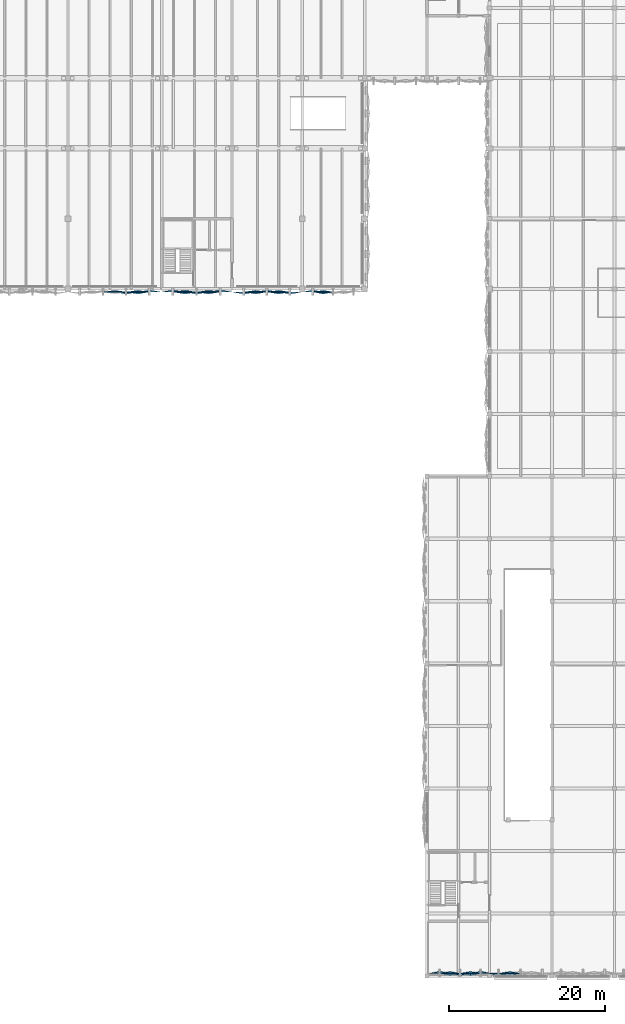
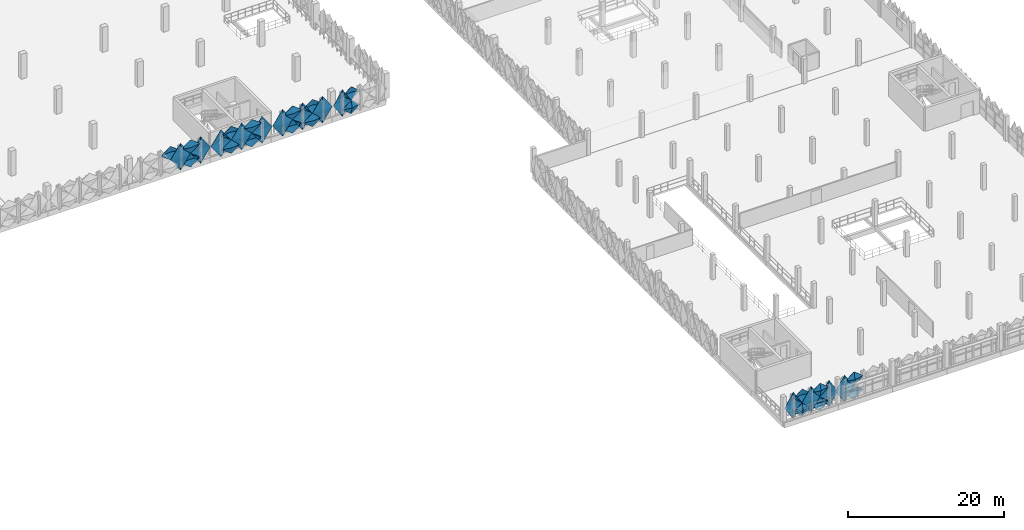
# One storey, part 57 of 83: 32 plates.
"""IFC4 building model written with IfcOpenShell, lengths in metres."""

from ifc_helpers import new_model, si_unit, derived_unit, direction, frame, origin, place, context, subcontext, project, spatial, polygons, material, layer, layer_set, type_object, element, save


model = new_model("IFC4")

# Units and contexts
model_context = context("Model", 3, precision=1e-05, world=origin(), true_north=direction((0.0, 1.0)))
body_context = subcontext(model_context, "Body", "Model", "MODEL_VIEW")
ifc_project = project(units=[si_unit("LENGTHUNIT", "METRE"), si_unit("AREAUNIT", "SQUARE_METRE"), si_unit("VOLUMEUNIT", "CUBIC_METRE"), si_unit("PLANEANGLEUNIT", "RADIAN"), si_unit("MASSUNIT", "GRAM", prefix="KILO"), si_unit("THERMODYNAMICTEMPERATUREUNIT", "KELVIN"), derived_unit("THERMALTRANSMITTANCEUNIT", [(si_unit("POWERUNIT", "WATT"), 1), (si_unit("AREAUNIT", "SQUARE_METRE"), -1), (si_unit("THERMODYNAMICTEMPERATUREUNIT", "KELVIN"), -1)])], contexts=[model_context])

# Site, building, storey
site_placement = place(None, origin())
site = spatial("IfcSite", under=ifc_project, at=site_placement, CompositionType="ELEMENT")
building_placement = place(site_placement, origin())
building = spatial("IfcBuilding", under=site, at=building_placement, Name="Haiyu Intermodal Mobility Hub", CompositionType="ELEMENT")
storey_placement = place(building_placement, frame((0.0, 0.0, 13.39990234375)))
storey = spatial("IfcBuildingStorey", under=building, at=storey_placement, Name="L03", CompositionType="ELEMENT", Elevation=13.39990234375)

# Plates
ifc_material = material(Name="Anodised aluminium 6063-T6", Category="aluminium")
ifc_layer_1 = layer(ifc_material, 0.01806640625)
ifc_layer_set_1 = layer_set([ifc_layer_1], Name="Anodised aluminium 6063-T6")
plate_type_1 = type_object("IfcPlateType", Name="PLT-FC01", PredefinedType="USERDEFINED", material=ifc_layer_set_1)
plate_1_placement = place(storey_placement, origin())
element("IfcPlate", 1, at=plate_1_placement, inside=storey, type_object=plate_type_1, Name="PLT-PYR-0923", ObjectType="FACADE CASSETTE", PredefinedType="USERDEFINED", context=body_context, shape_type="Tessellation", body=[
    polygons([(116.9599609375, 103.60009765625, 1.6201171875), (118.419921875, 103.60009765625, 2.670166015625), (116.9599609375, 103.60009765625, 3.72021484375), (115.5, 103.60009765625, 2.670166015625), (116.9599609375, 103.340087890625, 2.670166015625), (116.9599609375, 103.6220703125, 1.6201171875), (118.419921875, 103.6220703125, 2.670166015625), (116.9599609375, 103.6220703125, 3.72021484375), (115.5, 103.6220703125, 2.670166015625), (116.9599609375, 103.362060546875, 2.670166015625)], [[[1, 2, 5]], [[2, 3, 5]], [[3, 4, 5]], [[4, 1, 5]], [[7, 6, 10]], [[8, 7, 10]], [[9, 8, 10]], [[6, 9, 10]], [[1, 6, 7, 2]], [[2, 7, 8, 3]], [[3, 8, 9, 4]], [[4, 9, 6, 1]]], closed=True),
])
plate_2_placement = place(storey_placement, origin())
element("IfcPlate", 2, at=plate_2_placement, inside=storey, type_object=plate_type_1, Name="PLT-PYR-0961", ObjectType="FACADE CASSETTE", PredefinedType="USERDEFINED", context=body_context, shape_type="Tessellation", body=[
    polygons([(132.027099609375, 103.60009765625, 1.6201171875), (133.47998046875, 103.60009765625, 2.670166015625), (132.027099609375, 103.60009765625, 3.72021484375), (130.572998046875, 103.60009765625, 2.670166015625), (132.027099609375, 103.340087890625, 2.670166015625), (132.027099609375, 103.6220703125, 1.6201171875), (133.47998046875, 103.6220703125, 2.670166015625), (132.027099609375, 103.6220703125, 3.72021484375), (130.572998046875, 103.6220703125, 2.670166015625), (132.027099609375, 103.362060546875, 2.670166015625)], [[[1, 2, 5]], [[2, 3, 5]], [[3, 4, 5]], [[4, 1, 5]], [[7, 6, 10]], [[8, 7, 10]], [[9, 8, 10]], [[6, 9, 10]], [[1, 6, 7, 2]], [[2, 7, 8, 3]], [[3, 8, 9, 4]], [[4, 9, 6, 1]]], closed=True),
])
plate_3_placement = place(storey_placement, origin())
element("IfcPlate", 3, at=plate_3_placement, inside=storey, type_object=plate_type_1, Name="PLT-PYR-1740", ObjectType="FACADE CASSETTE", PredefinedType="USERDEFINED", context=body_context, shape_type="Tessellation", body=[
    polygons([(158.25, 16.320068359375, -0.510009765625), (159.547119140625, 16.320068359375, 1.60009765625), (158.25, 16.320068359375, 3.710205078125), (156.952880859375, 16.320068359375, 1.60009765625), (158.25, 16.0400390625, 1.60009765625), (158.25, 16.342041015625, -0.510009765625), (159.547119140625, 16.342041015625, 1.60009765625), (158.25, 16.342041015625, 3.710205078125), (156.952880859375, 16.342041015625, 1.60009765625), (158.25, 16.06201171875, 1.60009765625)], [[[1, 2, 5]], [[2, 3, 5]], [[3, 4, 5]], [[4, 1, 5]], [[7, 6, 10]], [[8, 7, 10]], [[9, 8, 10]], [[6, 9, 10]], [[1, 6, 7, 2]], [[2, 7, 8, 3]], [[3, 8, 9, 4]], [[4, 9, 6, 1]]], closed=True),
])
plate_4_placement = place(storey_placement, origin())
element("IfcPlate", 4, at=plate_4_placement, inside=storey, type_object=plate_type_1, Name="PLT-PYR-1742", ObjectType="FACADE CASSETTE", PredefinedType="USERDEFINED", context=body_context, shape_type="Tessellation", body=[
    polygons([(159.56689453125, 16.320068359375, 1.6201171875), (160.863037109375, 16.320068359375, 2.670166015625), (159.56689453125, 16.320068359375, 3.72021484375), (158.27001953125, 16.320068359375, 2.670166015625), (159.56689453125, 16.06005859375, 2.670166015625), (159.56689453125, 16.342041015625, 1.6201171875), (160.863037109375, 16.342041015625, 2.670166015625), (159.56689453125, 16.342041015625, 3.72021484375), (158.27001953125, 16.342041015625, 2.670166015625), (159.56689453125, 16.08203125, 2.670166015625)], [[[1, 2, 5]], [[2, 3, 5]], [[3, 4, 5]], [[4, 1, 5]], [[7, 6, 10]], [[8, 7, 10]], [[9, 8, 10]], [[6, 9, 10]], [[1, 6, 7, 2]], [[2, 7, 8, 3]], [[3, 8, 9, 4]], [[4, 9, 6, 1]]], closed=True),
])
plate_5_placement = place(storey_placement, origin())
element("IfcPlate", 5, at=plate_5_placement, inside=storey, type_object=plate_type_1, Name="PLT-PYR-1746", ObjectType="FACADE CASSETTE", PredefinedType="USERDEFINED", context=body_context, shape_type="Tessellation", body=[
    polygons([(164.60009765625, 16.320068359375, 1.6201171875), (165.97998046875, 16.320068359375, 2.670166015625), (164.60009765625, 16.320068359375, 3.72021484375), (163.219970703125, 16.320068359375, 2.670166015625), (164.60009765625, 16.06005859375, 2.670166015625), (164.60009765625, 16.342041015625, 1.6201171875), (165.97998046875, 16.342041015625, 2.670166015625), (164.60009765625, 16.342041015625, 3.72021484375), (163.219970703125, 16.342041015625, 2.670166015625), (164.60009765625, 16.08203125, 2.670166015625)], [[[1, 2, 5]], [[2, 3, 5]], [[3, 4, 5]], [[4, 1, 5]], [[7, 6, 10]], [[8, 7, 10]], [[9, 8, 10]], [[6, 9, 10]], [[1, 6, 7, 2]], [[2, 7, 8, 3]], [[3, 8, 9, 4]], [[4, 9, 6, 1]]], closed=True),
])
plate_6_placement = place(storey_placement, origin())
element("IfcPlate", 6, at=plate_6_placement, inside=storey, type_object=plate_type_1, Name="PLT-PYR-2228", ObjectType="FACADE CASSETTE", PredefinedType="USERDEFINED", context=body_context, shape_type="Tessellation", body=[
    polygons([(124.5, 103.60009765625, -0.510009765625), (125.9970703125, 103.60009765625, 1.60009765625), (124.5, 103.60009765625, 3.710205078125), (123.0029296875, 103.60009765625, 1.60009765625), (124.5, 103.320068359375, 1.60009765625), (124.5, 103.6220703125, -0.510009765625), (125.9970703125, 103.6220703125, 1.60009765625), (124.5, 103.6220703125, 3.710205078125), (123.0029296875, 103.6220703125, 1.60009765625), (124.5, 103.342041015625, 1.60009765625)], [[[1, 2, 5]], [[2, 3, 5]], [[3, 4, 5]], [[4, 1, 5]], [[7, 6, 10]], [[8, 7, 10]], [[9, 8, 10]], [[6, 9, 10]], [[1, 6, 7, 2]], [[2, 7, 8, 3]], [[3, 8, 9, 4]], [[4, 9, 6, 1]]], closed=True),
])
plate_7_placement = place(storey_placement, origin())
element("IfcPlate", 7, at=plate_7_placement, inside=storey, type_object=plate_type_1, Name="PLT-PYR-2230", ObjectType="FACADE CASSETTE", PredefinedType="USERDEFINED", context=body_context, shape_type="Tessellation", body=[
    polygons([(126.01708984375, 103.60009765625, 1.6201171875), (127.512939453125, 103.60009765625, 2.670166015625), (126.01708984375, 103.60009765625, 3.72021484375), (124.52001953125, 103.60009765625, 2.670166015625), (126.01708984375, 103.340087890625, 2.670166015625), (126.01708984375, 103.6220703125, 1.6201171875), (127.512939453125, 103.6220703125, 2.670166015625), (126.01708984375, 103.6220703125, 3.72021484375), (124.52001953125, 103.6220703125, 2.670166015625), (126.01708984375, 103.362060546875, 2.670166015625)], [[[1, 2, 5]], [[2, 3, 5]], [[3, 4, 5]], [[4, 1, 5]], [[7, 6, 10]], [[8, 7, 10]], [[9, 8, 10]], [[6, 9, 10]], [[1, 6, 7, 2]], [[2, 7, 8, 3]], [[3, 8, 9, 4]], [[4, 9, 6, 1]]], closed=True),
])
ifc_layer_2 = layer(ifc_material, 0.02001953125)
ifc_layer_set_2 = layer_set([ifc_layer_2], Name="Anodised aluminium 6063-T6")
plate_type_2 = type_object("IfcPlateType", Name="PLT-FC02", PredefinedType="USERDEFINED", material=ifc_layer_set_2)
plate_8_placement = place(storey_placement, origin())
element("IfcPlate", 8, at=plate_8_placement, inside=storey, type_object=plate_type_2, Name="PLT-PYR-0920", ObjectType="FACADE CASSETTE", PredefinedType="USERDEFINED", context=body_context, shape_type="Tessellation", body=[
    polygons([(114.0, 103.60009765625, 1.6201171875), (115.4599609375, 103.60009765625, 2.670166015625), (114.0, 103.60009765625, 3.72021484375), (112.5400390625, 103.60009765625, 2.670166015625), (114.0, 103.820068359375, 2.670166015625), (114.0, 103.6220703125, 1.6201171875), (115.4599609375, 103.6220703125, 2.670166015625), (114.0, 103.6220703125, 3.72021484375), (112.5400390625, 103.6220703125, 2.670166015625), (114.0, 103.842041015625, 2.670166015625)], [[[1, 2, 5]], [[2, 3, 5]], [[3, 4, 5]], [[4, 1, 5]], [[7, 6, 10]], [[8, 7, 10]], [[9, 8, 10]], [[6, 9, 10]], [[1, 6, 7, 2]], [[2, 7, 8, 3]], [[3, 8, 9, 4]], [[4, 9, 6, 1]]], closed=True),
])
plate_9_placement = place(storey_placement, origin())
element("IfcPlate", 9, at=plate_9_placement, inside=storey, type_object=plate_type_2, Name="PLT-PYR-0962", ObjectType="FACADE CASSETTE", PredefinedType="USERDEFINED", context=body_context, shape_type="Tessellation", body=[
    polygons([(133.5, 103.60009765625, -0.510009765625), (134.952880859375, 103.60009765625, 1.60009765625), (133.5, 103.60009765625, 3.710205078125), (132.047119140625, 103.60009765625, 1.60009765625), (133.5, 103.860107421875, 1.60009765625), (133.5, 103.6220703125, -0.510009765625), (134.952880859375, 103.6220703125, 1.60009765625), (133.5, 103.6220703125, 3.710205078125), (132.047119140625, 103.6220703125, 1.60009765625), (133.5, 103.882080078125, 1.60009765625)], [[[1, 2, 5]], [[2, 3, 5]], [[3, 4, 5]], [[4, 1, 5]], [[7, 6, 10]], [[8, 7, 10]], [[9, 8, 10]], [[6, 9, 10]], [[1, 6, 7, 2]], [[2, 7, 8, 3]], [[3, 8, 9, 4]], [[4, 9, 6, 1]]], closed=True),
])
plate_10_placement = place(storey_placement, origin())
element("IfcPlate", 10, at=plate_10_placement, inside=storey, type_object=plate_type_2, Name="PLT-PYR-0964", ObjectType="FACADE CASSETTE", PredefinedType="USERDEFINED", context=body_context, shape_type="Tessellation", body=[
    polygons([(134.972900390625, 103.60009765625, 1.6201171875), (136.427001953125, 103.60009765625, 2.670166015625), (134.972900390625, 103.60009765625, 3.72021484375), (133.52001953125, 103.60009765625, 2.670166015625), (134.972900390625, 103.820068359375, 2.670166015625), (134.972900390625, 103.6220703125, 1.6201171875), (136.427001953125, 103.6220703125, 2.670166015625), (134.972900390625, 103.6220703125, 3.72021484375), (133.52001953125, 103.6220703125, 2.670166015625), (134.972900390625, 103.842041015625, 2.670166015625)], [[[1, 2, 5]], [[2, 3, 5]], [[3, 4, 5]], [[4, 1, 5]], [[7, 6, 10]], [[8, 7, 10]], [[9, 8, 10]], [[6, 9, 10]], [[1, 6, 7, 2]], [[2, 7, 8, 3]], [[3, 8, 9, 4]], [[4, 9, 6, 1]]], closed=True),
])
plate_11_placement = place(storey_placement, origin())
element("IfcPlate", 11, at=plate_11_placement, inside=storey, type_object=plate_type_2, Name="PLT-PYR-0996", ObjectType="FACADE CASSETTE", PredefinedType="USERDEFINED", context=body_context, shape_type="Tessellation", body=[
    polygons([(140.693115234375, 103.60009765625, 1.6201171875), (141.97998046875, 103.60009765625, 2.670166015625), (140.693115234375, 103.60009765625, 3.72021484375), (139.406982421875, 103.60009765625, 2.670166015625), (140.693115234375, 103.820068359375, 2.670166015625), (140.693115234375, 103.6220703125, 1.6201171875), (141.97998046875, 103.6220703125, 2.670166015625), (140.693115234375, 103.6220703125, 3.72021484375), (139.406982421875, 103.6220703125, 2.670166015625), (140.693115234375, 103.842041015625, 2.670166015625)], [[[1, 2, 5]], [[2, 3, 5]], [[3, 4, 5]], [[4, 1, 5]], [[7, 6, 10]], [[8, 7, 10]], [[9, 8, 10]], [[6, 9, 10]], [[1, 6, 7, 2]], [[2, 7, 8, 3]], [[3, 8, 9, 4]], [[4, 9, 6, 1]]], closed=True),
])
plate_12_placement = place(storey_placement, origin())
element("IfcPlate", 12, at=plate_12_placement, inside=storey, type_object=plate_type_2, Name="PLT-PYR-1739", ObjectType="FACADE CASSETTE", PredefinedType="USERDEFINED", context=body_context, shape_type="Tessellation", body=[
    polygons([(156.93310546875, 16.320068359375, 1.6201171875), (158.22998046875, 16.320068359375, 2.670166015625), (156.93310546875, 16.320068359375, 3.72021484375), (155.636962890625, 16.320068359375, 2.670166015625), (156.93310546875, 16.5400390625, 2.670166015625), (156.93310546875, 16.342041015625, 1.6201171875), (158.22998046875, 16.342041015625, 2.670166015625), (156.93310546875, 16.342041015625, 3.72021484375), (155.636962890625, 16.342041015625, 2.670166015625), (156.93310546875, 16.56201171875, 2.670166015625)], [[[1, 2, 5]], [[2, 3, 5]], [[3, 4, 5]], [[4, 1, 5]], [[7, 6, 10]], [[8, 7, 10]], [[9, 8, 10]], [[6, 9, 10]], [[1, 6, 7, 2]], [[2, 7, 8, 3]], [[3, 8, 9, 4]], [[4, 9, 6, 1]]], closed=True),
])
plate_13_placement = place(storey_placement, origin())
element("IfcPlate", 13, at=plate_13_placement, inside=storey, type_object=plate_type_2, Name="PLT-PYR-2227", ObjectType="FACADE CASSETTE", PredefinedType="USERDEFINED", context=body_context, shape_type="Tessellation", body=[
    polygons([(122.98291015625, 103.60009765625, 1.6201171875), (124.47998046875, 103.60009765625, 2.670166015625), (122.98291015625, 103.60009765625, 3.72021484375), (121.487060546875, 103.60009765625, 2.670166015625), (122.98291015625, 103.820068359375, 2.670166015625), (122.98291015625, 103.6220703125, 1.6201171875), (124.47998046875, 103.6220703125, 2.670166015625), (122.98291015625, 103.6220703125, 3.72021484375), (121.487060546875, 103.6220703125, 2.670166015625), (122.98291015625, 103.842041015625, 2.670166015625)], [[[1, 2, 5]], [[2, 3, 5]], [[3, 4, 5]], [[4, 1, 5]], [[7, 6, 10]], [[8, 7, 10]], [[9, 8, 10]], [[6, 9, 10]], [[1, 6, 7, 2]], [[2, 7, 8, 3]], [[3, 8, 9, 4]], [[4, 9, 6, 1]]], closed=True),
])
ifc_layer_3 = layer(ifc_material, 0.01806640625)
ifc_layer_set_3 = layer_set([ifc_layer_3], Name="Anodised aluminium 6063-T6")
plate_type_3 = type_object("IfcPlateType", Name="PLT-FC03", PredefinedType="USERDEFINED", material=ifc_layer_set_3)
plate_14_placement = place(storey_placement, origin())
element("IfcPlate", 14, at=plate_14_placement, inside=storey, type_object=plate_type_3, Name="PLT-PYR-0921", ObjectType="FACADE CASSETTE", PredefinedType="USERDEFINED", context=body_context, shape_type="Tessellation", body=[
    polygons([(115.47998046875, 103.60009765625, -0.510009765625), (116.93994140625, 103.60009765625, 1.60009765625), (115.47998046875, 103.60009765625, 3.710205078125), (114.02001953125, 103.60009765625, 1.60009765625), (115.47998046875, 103.320068359375, 1.60009765625), (115.47998046875, 103.6220703125, -0.510009765625), (116.93994140625, 103.6220703125, 1.60009765625), (115.47998046875, 103.6220703125, 3.710205078125), (114.02001953125, 103.6220703125, 1.60009765625), (115.47998046875, 103.342041015625, 1.60009765625)], [[[1, 2, 5]], [[2, 3, 5]], [[3, 4, 5]], [[4, 1, 5]], [[7, 6, 10]], [[8, 7, 10]], [[9, 8, 10]], [[6, 9, 10]], [[1, 6, 7, 2]], [[2, 7, 8, 3]], [[3, 8, 9, 4]], [[4, 9, 6, 1]]], closed=True),
])
plate_15_placement = place(storey_placement, origin())
element("IfcPlate", 15, at=plate_15_placement, inside=storey, type_object=plate_type_3, Name="PLT-PYR-0965", ObjectType="FACADE CASSETTE", PredefinedType="USERDEFINED", context=body_context, shape_type="Tessellation", body=[
    polygons([(136.447021484375, 103.60009765625, -0.510009765625), (137.89990234375, 103.60009765625, 1.60009765625), (136.447021484375, 103.60009765625, 3.710205078125), (134.992919921875, 103.60009765625, 1.60009765625), (136.447021484375, 103.320068359375, 1.60009765625), (136.447021484375, 103.6220703125, -0.510009765625), (137.89990234375, 103.6220703125, 1.60009765625), (136.447021484375, 103.6220703125, 3.710205078125), (134.992919921875, 103.6220703125, 1.60009765625), (136.447021484375, 103.342041015625, 1.60009765625)], [[[1, 2, 5]], [[2, 3, 5]], [[3, 4, 5]], [[4, 1, 5]], [[7, 6, 10]], [[8, 7, 10]], [[9, 8, 10]], [[6, 9, 10]], [[1, 6, 7, 2]], [[2, 7, 8, 3]], [[3, 8, 9, 4]], [[4, 9, 6, 1]]], closed=True),
])
ifc_layer_4 = layer(ifc_material, 0.02001953125)
ifc_layer_set_4 = layer_set([ifc_layer_4], Name="Anodised aluminium 6063-T6")
plate_type_4 = type_object("IfcPlateType", Name="PLT-FC04", PredefinedType="USERDEFINED", material=ifc_layer_set_4)
plate_16_placement = place(storey_placement, origin())
element("IfcPlate", 16, at=plate_16_placement, inside=storey, type_object=plate_type_4, Name="PLT-PYR-1743", ObjectType="FACADE CASSETTE", PredefinedType="USERDEFINED", context=body_context, shape_type="Tessellation", body=[
    polygons([(160.883056640625, 16.320068359375, -0.510009765625), (162.179931640625, 16.320068359375, 1.60009765625), (160.883056640625, 16.320068359375, 3.710205078125), (159.5869140625, 16.320068359375, 1.60009765625), (160.883056640625, 16.580078125, 1.60009765625), (160.883056640625, 16.342041015625, -0.510009765625), (162.179931640625, 16.342041015625, 1.60009765625), (160.883056640625, 16.342041015625, 3.710205078125), (159.5869140625, 16.342041015625, 1.60009765625), (160.883056640625, 16.60205078125, 1.60009765625)], [[[1, 2, 5]], [[2, 3, 5]], [[3, 4, 5]], [[4, 1, 5]], [[7, 6, 10]], [[8, 7, 10]], [[9, 8, 10]], [[6, 9, 10]], [[1, 6, 7, 2]], [[2, 7, 8, 3]], [[3, 8, 9, 4]], [[4, 9, 6, 1]]], closed=True),
])
plate_17_placement = place(storey_placement, origin())
element("IfcPlate", 17, at=plate_17_placement, inside=storey, type_object=plate_type_4, Name="PLT-PYR-2231", ObjectType="FACADE CASSETTE", PredefinedType="USERDEFINED", context=body_context, shape_type="Tessellation", body=[
    polygons([(127.532958984375, 103.60009765625, -0.510009765625), (129.030029296875, 103.60009765625, 1.60009765625), (127.532958984375, 103.60009765625, 3.710205078125), (126.037109375, 103.60009765625, 1.60009765625), (127.532958984375, 103.860107421875, 1.60009765625), (127.532958984375, 103.6220703125, -0.510009765625), (129.030029296875, 103.6220703125, 1.60009765625), (127.532958984375, 103.6220703125, 3.710205078125), (126.037109375, 103.6220703125, 1.60009765625), (127.532958984375, 103.882080078125, 1.60009765625)], [[[1, 2, 5]], [[2, 3, 5]], [[3, 4, 5]], [[4, 1, 5]], [[7, 6, 10]], [[8, 7, 10]], [[9, 8, 10]], [[6, 9, 10]], [[1, 6, 7, 2]], [[2, 7, 8, 3]], [[3, 8, 9, 4]], [[4, 9, 6, 1]]], closed=True),
])
ifc_layer_5 = layer(ifc_material, 0.02001953125)
ifc_layer_set_5 = layer_set([ifc_layer_5], Name="Anodised aluminium 6063-T6")
plate_type_5 = type_object("IfcPlateType", Name="PLT-FC06", PredefinedType="USERDEFINED", material=ifc_layer_set_5)
plate_18_placement = place(storey_placement, origin())
element("IfcPlate", 18, at=plate_18_placement, inside=storey, type_object=plate_type_5, Name="PLT-PYR-0924", ObjectType="FACADE CASSETTE", PredefinedType="USERDEFINED", context=body_context, shape_type="Tessellation", body=[
    polygons([(118.43994140625, 103.60009765625, -0.510009765625), (119.89990234375, 103.60009765625, 1.60009765625), (118.43994140625, 103.60009765625, 3.710205078125), (116.97998046875, 103.60009765625, 1.60009765625), (118.43994140625, 103.860107421875, 1.60009765625), (118.43994140625, 103.6220703125, -0.510009765625), (119.89990234375, 103.6220703125, 1.60009765625), (118.43994140625, 103.6220703125, 3.710205078125), (116.97998046875, 103.6220703125, 1.60009765625), (118.43994140625, 103.882080078125, 1.60009765625)], [[[1, 2, 5]], [[2, 3, 5]], [[3, 4, 5]], [[4, 1, 5]], [[7, 6, 10]], [[8, 7, 10]], [[9, 8, 10]], [[6, 9, 10]], [[1, 6, 7, 2]], [[2, 7, 8, 3]], [[3, 8, 9, 4]], [[4, 9, 6, 1]]], closed=True),
])
ifc_layer_6 = layer(ifc_material, 0.02197265625)
ifc_layer_set_6 = layer_set([ifc_layer_6], Name="Anodised aluminium 6063-T6")
plate_type_6 = type_object("IfcPlateType", Name="PLT-FC07", PredefinedType="USERDEFINED", material=ifc_layer_set_6)
plate_19_placement = place(storey_placement, origin())
element("IfcPlate", 19, at=plate_19_placement, inside=storey, type_object=plate_type_6, Name="PLT-PYR-0959", ObjectType="FACADE CASSETTE", PredefinedType="USERDEFINED", context=body_context, shape_type="Tessellation", body=[
    polygons([(130.552978515625, 103.60009765625, -0.510009765625), (132.007080078125, 103.60009765625, 1.60009765625), (130.552978515625, 103.60009765625, 3.710205078125), (129.10009765625, 103.60009765625, 1.60009765625), (130.552978515625, 103.320068359375, 1.60009765625), (130.552978515625, 103.6220703125, -0.510009765625), (132.007080078125, 103.6220703125, 1.60009765625), (130.552978515625, 103.6220703125, 3.710205078125), (129.10009765625, 103.6220703125, 1.60009765625), (130.552978515625, 103.342041015625, 1.60009765625)], [[[1, 2, 5]], [[2, 3, 5]], [[3, 4, 5]], [[4, 1, 5]], [[7, 6, 10]], [[8, 7, 10]], [[9, 8, 10]], [[6, 9, 10]], [[1, 6, 7, 2]], [[2, 7, 8, 3]], [[3, 8, 9, 4]], [[4, 9, 6, 1]]], closed=True),
])
plate_20_placement = place(storey_placement, origin())
element("IfcPlate", 20, at=plate_20_placement, inside=storey, type_object=plate_type_6, Name="PLT-PYR-0963", ObjectType="FACADE CASSETTE", PredefinedType="USERDEFINED", context=body_context, shape_type="Tessellation", body=[
    polygons([(134.972900390625, 103.60009765625, -0.52001953125), (136.427001953125, 103.60009765625, 0.530029296875), (134.972900390625, 103.60009765625, 1.580078125), (133.52001953125, 103.60009765625, 0.530029296875), (134.972900390625, 103.340087890625, 0.530029296875), (134.972900390625, 103.6220703125, -0.52001953125), (136.427001953125, 103.6220703125, 0.530029296875), (134.972900390625, 103.6220703125, 1.580078125), (133.52001953125, 103.6220703125, 0.530029296875), (134.972900390625, 103.362060546875, 0.530029296875)], [[[1, 2, 5]], [[2, 3, 5]], [[3, 4, 5]], [[4, 1, 5]], [[7, 6, 10]], [[8, 7, 10]], [[9, 8, 10]], [[6, 9, 10]], [[1, 6, 7, 2]], [[2, 7, 8, 3]], [[3, 8, 9, 4]], [[4, 9, 6, 1]]], closed=True),
])
plate_21_placement = place(storey_placement, origin())
element("IfcPlate", 21, at=plate_21_placement, inside=storey, type_object=plate_type_6, Name="PLT-PYR-0995", ObjectType="FACADE CASSETTE", PredefinedType="USERDEFINED", context=body_context, shape_type="Tessellation", body=[
    polygons([(140.693115234375, 103.60009765625, -0.52001953125), (141.97998046875, 103.60009765625, 0.530029296875), (140.693115234375, 103.60009765625, 1.580078125), (139.406982421875, 103.60009765625, 0.530029296875), (140.693115234375, 103.340087890625, 0.530029296875), (140.693115234375, 103.6220703125, -0.52001953125), (141.97998046875, 103.6220703125, 0.530029296875), (140.693115234375, 103.6220703125, 1.580078125), (139.406982421875, 103.6220703125, 0.530029296875), (140.693115234375, 103.362060546875, 0.530029296875)], [[[1, 2, 5]], [[2, 3, 5]], [[3, 4, 5]], [[4, 1, 5]], [[7, 6, 10]], [[8, 7, 10]], [[9, 8, 10]], [[6, 9, 10]], [[1, 6, 7, 2]], [[2, 7, 8, 3]], [[3, 8, 9, 4]], [[4, 9, 6, 1]]], closed=True),
])
plate_22_placement = place(storey_placement, origin())
element("IfcPlate", 22, at=plate_22_placement, inside=storey, type_object=plate_type_6, Name="PLT-PYR-1738", ObjectType="FACADE CASSETTE", PredefinedType="USERDEFINED", context=body_context, shape_type="Tessellation", body=[
    polygons([(156.93310546875, 16.320068359375, -0.52001953125), (158.22998046875, 16.320068359375, 0.530029296875), (156.93310546875, 16.320068359375, 1.580078125), (155.636962890625, 16.320068359375, 0.530029296875), (156.93310546875, 16.06005859375, 0.530029296875), (156.93310546875, 16.342041015625, -0.52001953125), (158.22998046875, 16.342041015625, 0.530029296875), (156.93310546875, 16.342041015625, 1.580078125), (155.636962890625, 16.342041015625, 0.530029296875), (156.93310546875, 16.08203125, 0.530029296875)], [[[1, 2, 5]], [[2, 3, 5]], [[3, 4, 5]], [[4, 1, 5]], [[7, 6, 10]], [[8, 7, 10]], [[9, 8, 10]], [[6, 9, 10]], [[1, 6, 7, 2]], [[2, 7, 8, 3]], [[3, 8, 9, 4]], [[4, 9, 6, 1]]], closed=True),
])
plate_23_placement = place(storey_placement, origin())
element("IfcPlate", 23, at=plate_23_placement, inside=storey, type_object=plate_type_6, Name="PLT-PYR-1744", ObjectType="FACADE CASSETTE", PredefinedType="USERDEFINED", context=body_context, shape_type="Tessellation", body=[
    polygons([(163.199951171875, 16.320068359375, -0.510009765625), (164.580078125, 16.320068359375, 1.60009765625), (163.199951171875, 16.320068359375, 3.710205078125), (161.820068359375, 16.320068359375, 1.60009765625), (163.199951171875, 16.0400390625, 1.60009765625), (163.199951171875, 16.342041015625, -0.510009765625), (164.580078125, 16.342041015625, 1.60009765625), (163.199951171875, 16.342041015625, 3.710205078125), (161.820068359375, 16.342041015625, 1.60009765625), (163.199951171875, 16.06201171875, 1.60009765625)], [[[1, 2, 5]], [[2, 3, 5]], [[3, 4, 5]], [[4, 1, 5]], [[7, 6, 10]], [[8, 7, 10]], [[9, 8, 10]], [[6, 9, 10]], [[1, 6, 7, 2]], [[2, 7, 8, 3]], [[3, 8, 9, 4]], [[4, 9, 6, 1]]], closed=True),
])
plate_24_placement = place(storey_placement, origin())
element("IfcPlate", 24, at=plate_24_placement, inside=storey, type_object=plate_type_6, Name="PLT-PYR-2226", ObjectType="FACADE CASSETTE", PredefinedType="USERDEFINED", context=body_context, shape_type="Tessellation", body=[
    polygons([(122.98291015625, 103.60009765625, -0.52001953125), (124.47998046875, 103.60009765625, 0.530029296875), (122.98291015625, 103.60009765625, 1.580078125), (121.487060546875, 103.60009765625, 0.530029296875), (122.98291015625, 103.340087890625, 0.530029296875), (122.98291015625, 103.6220703125, -0.52001953125), (124.47998046875, 103.6220703125, 0.530029296875), (122.98291015625, 103.6220703125, 1.580078125), (121.487060546875, 103.6220703125, 0.530029296875), (122.98291015625, 103.362060546875, 0.530029296875)], [[[1, 2, 5]], [[2, 3, 5]], [[3, 4, 5]], [[4, 1, 5]], [[7, 6, 10]], [[8, 7, 10]], [[9, 8, 10]], [[6, 9, 10]], [[1, 6, 7, 2]], [[2, 7, 8, 3]], [[3, 8, 9, 4]], [[4, 9, 6, 1]]], closed=True),
])
ifc_layer_7 = layer(ifc_material, 0.02392578125)
ifc_layer_set_7 = layer_set([ifc_layer_7], Name="Anodised aluminium 6063-T6")
plate_type_7 = type_object("IfcPlateType", Name="PLT-FC08", PredefinedType="USERDEFINED", material=ifc_layer_set_7)
plate_25_placement = place(storey_placement, origin())
element("IfcPlate", 25, at=plate_25_placement, inside=storey, type_object=plate_type_7, Name="PLT-PYR-0922", ObjectType="FACADE CASSETTE", PredefinedType="USERDEFINED", context=body_context, shape_type="Tessellation", body=[
    polygons([(116.9599609375, 103.60009765625, -0.52001953125), (118.419921875, 103.60009765625, 0.530029296875), (116.9599609375, 103.60009765625, 1.580078125), (115.5, 103.60009765625, 0.530029296875), (116.9599609375, 103.820068359375, 0.530029296875), (116.9599609375, 103.6220703125, -0.52001953125), (118.419921875, 103.6220703125, 0.530029296875), (116.9599609375, 103.6220703125, 1.580078125), (115.5, 103.6220703125, 0.530029296875), (116.9599609375, 103.842041015625, 0.530029296875)], [[[1, 2, 5]], [[2, 3, 5]], [[3, 4, 5]], [[4, 1, 5]], [[7, 6, 10]], [[8, 7, 10]], [[9, 8, 10]], [[6, 9, 10]], [[1, 6, 7, 2]], [[2, 7, 8, 3]], [[3, 8, 9, 4]], [[4, 9, 6, 1]]], closed=True),
])
plate_26_placement = place(storey_placement, origin())
element("IfcPlate", 26, at=plate_26_placement, inside=storey, type_object=plate_type_7, Name="PLT-PYR-0960", ObjectType="FACADE CASSETTE", PredefinedType="USERDEFINED", context=body_context, shape_type="Tessellation", body=[
    polygons([(132.027099609375, 103.60009765625, -0.52001953125), (133.47998046875, 103.60009765625, 0.530029296875), (132.027099609375, 103.60009765625, 1.580078125), (130.572998046875, 103.60009765625, 0.530029296875), (132.027099609375, 103.820068359375, 0.530029296875), (132.027099609375, 103.6220703125, -0.52001953125), (133.47998046875, 103.6220703125, 0.530029296875), (132.027099609375, 103.6220703125, 1.580078125), (130.572998046875, 103.6220703125, 0.530029296875), (132.027099609375, 103.842041015625, 0.530029296875)], [[[1, 2, 5]], [[2, 3, 5]], [[3, 4, 5]], [[4, 1, 5]], [[7, 6, 10]], [[8, 7, 10]], [[9, 8, 10]], [[6, 9, 10]], [[1, 6, 7, 2]], [[2, 7, 8, 3]], [[3, 8, 9, 4]], [[4, 9, 6, 1]]], closed=True),
])
plate_27_placement = place(storey_placement, origin())
element("IfcPlate", 27, at=plate_27_placement, inside=storey, type_object=plate_type_7, Name="PLT-PYR-0994", ObjectType="FACADE CASSETTE", PredefinedType="USERDEFINED", context=body_context, shape_type="Tessellation", body=[
    polygons([(139.386962890625, 103.60009765625, -0.510009765625), (140.673095703125, 103.60009765625, 1.60009765625), (139.386962890625, 103.60009765625, 3.710205078125), (138.10009765625, 103.60009765625, 1.60009765625), (139.386962890625, 103.860107421875, 1.60009765625), (139.386962890625, 103.6220703125, -0.510009765625), (140.673095703125, 103.6220703125, 1.60009765625), (139.386962890625, 103.6220703125, 3.710205078125), (138.10009765625, 103.6220703125, 1.60009765625), (139.386962890625, 103.882080078125, 1.60009765625)], [[[1, 2, 5]], [[2, 3, 5]], [[3, 4, 5]], [[4, 1, 5]], [[7, 6, 10]], [[8, 7, 10]], [[9, 8, 10]], [[6, 9, 10]], [[1, 6, 7, 2]], [[2, 7, 8, 3]], [[3, 8, 9, 4]], [[4, 9, 6, 1]]], closed=True),
])
plate_28_placement = place(storey_placement, origin())
element("IfcPlate", 28, at=plate_28_placement, inside=storey, type_object=plate_type_7, Name="PLT-PYR-1737", ObjectType="FACADE CASSETTE", PredefinedType="USERDEFINED", context=body_context, shape_type="Tessellation", body=[
    polygons([(155.616943359375, 16.320068359375, -0.510009765625), (156.9130859375, 16.320068359375, 1.60009765625), (155.616943359375, 16.320068359375, 3.710205078125), (154.320068359375, 16.320068359375, 1.60009765625), (155.616943359375, 16.580078125, 1.60009765625), (155.616943359375, 16.342041015625, -0.510009765625), (156.9130859375, 16.342041015625, 1.60009765625), (155.616943359375, 16.342041015625, 3.710205078125), (154.320068359375, 16.342041015625, 1.60009765625), (155.616943359375, 16.60205078125, 1.60009765625)], [[[1, 2, 5]], [[2, 3, 5]], [[3, 4, 5]], [[4, 1, 5]], [[7, 6, 10]], [[8, 7, 10]], [[9, 8, 10]], [[6, 9, 10]], [[1, 6, 7, 2]], [[2, 7, 8, 3]], [[3, 8, 9, 4]], [[4, 9, 6, 1]]], closed=True),
])
plate_29_placement = place(storey_placement, origin())
element("IfcPlate", 29, at=plate_29_placement, inside=storey, type_object=plate_type_7, Name="PLT-PYR-1741", ObjectType="FACADE CASSETTE", PredefinedType="USERDEFINED", context=body_context, shape_type="Tessellation", body=[
    polygons([(159.56689453125, 16.320068359375, -0.52001953125), (160.863037109375, 16.320068359375, 0.530029296875), (159.56689453125, 16.320068359375, 1.580078125), (158.27001953125, 16.320068359375, 0.530029296875), (159.56689453125, 16.5400390625, 0.530029296875), (159.56689453125, 16.342041015625, -0.52001953125), (160.863037109375, 16.342041015625, 0.530029296875), (159.56689453125, 16.342041015625, 1.580078125), (158.27001953125, 16.342041015625, 0.530029296875), (159.56689453125, 16.56201171875, 0.530029296875)], [[[1, 2, 5]], [[2, 3, 5]], [[3, 4, 5]], [[4, 1, 5]], [[7, 6, 10]], [[8, 7, 10]], [[9, 8, 10]], [[6, 9, 10]], [[1, 6, 7, 2]], [[2, 7, 8, 3]], [[3, 8, 9, 4]], [[4, 9, 6, 1]]], closed=True),
])
plate_30_placement = place(storey_placement, origin())
element("IfcPlate", 30, at=plate_30_placement, inside=storey, type_object=plate_type_7, Name="PLT-PYR-1745", ObjectType="FACADE CASSETTE", PredefinedType="USERDEFINED", context=body_context, shape_type="Tessellation", body=[
    polygons([(164.60009765625, 16.320068359375, -0.52001953125), (165.97998046875, 16.320068359375, 0.530029296875), (164.60009765625, 16.320068359375, 1.580078125), (163.219970703125, 16.320068359375, 0.530029296875), (164.60009765625, 16.5400390625, 0.530029296875), (164.60009765625, 16.342041015625, -0.52001953125), (165.97998046875, 16.342041015625, 0.530029296875), (164.60009765625, 16.342041015625, 1.580078125), (163.219970703125, 16.342041015625, 0.530029296875), (164.60009765625, 16.56201171875, 0.530029296875)], [[[1, 2, 5]], [[2, 3, 5]], [[3, 4, 5]], [[4, 1, 5]], [[7, 6, 10]], [[8, 7, 10]], [[9, 8, 10]], [[6, 9, 10]], [[1, 6, 7, 2]], [[2, 7, 8, 3]], [[3, 8, 9, 4]], [[4, 9, 6, 1]]], closed=True),
])
plate_31_placement = place(storey_placement, origin())
element("IfcPlate", 31, at=plate_31_placement, inside=storey, type_object=plate_type_7, Name="PLT-PYR-2225", ObjectType="FACADE CASSETTE", PredefinedType="USERDEFINED", context=body_context, shape_type="Tessellation", body=[
    polygons([(121.467041015625, 103.60009765625, -0.510009765625), (122.962890625, 103.60009765625, 1.60009765625), (121.467041015625, 103.60009765625, 3.710205078125), (119.969970703125, 103.60009765625, 1.60009765625), (121.467041015625, 103.860107421875, 1.60009765625), (121.467041015625, 103.6220703125, -0.510009765625), (122.962890625, 103.6220703125, 1.60009765625), (121.467041015625, 103.6220703125, 3.710205078125), (119.969970703125, 103.6220703125, 1.60009765625), (121.467041015625, 103.882080078125, 1.60009765625)], [[[1, 2, 5]], [[2, 3, 5]], [[3, 4, 5]], [[4, 1, 5]], [[7, 6, 10]], [[8, 7, 10]], [[9, 8, 10]], [[6, 9, 10]], [[1, 6, 7, 2]], [[2, 7, 8, 3]], [[3, 8, 9, 4]], [[4, 9, 6, 1]]], closed=True),
])
plate_32_placement = place(storey_placement, origin())
element("IfcPlate", 32, at=plate_32_placement, inside=storey, type_object=plate_type_7, Name="PLT-PYR-2229", ObjectType="FACADE CASSETTE", PredefinedType="USERDEFINED", context=body_context, shape_type="Tessellation", body=[
    polygons([(126.01708984375, 103.60009765625, -0.52001953125), (127.512939453125, 103.60009765625, 0.530029296875), (126.01708984375, 103.60009765625, 1.580078125), (124.52001953125, 103.60009765625, 0.530029296875), (126.01708984375, 103.820068359375, 0.530029296875), (126.01708984375, 103.6220703125, -0.52001953125), (127.512939453125, 103.6220703125, 0.530029296875), (126.01708984375, 103.6220703125, 1.580078125), (124.52001953125, 103.6220703125, 0.530029296875), (126.01708984375, 103.842041015625, 0.530029296875)], [[[1, 2, 5]], [[2, 3, 5]], [[3, 4, 5]], [[4, 1, 5]], [[7, 6, 10]], [[8, 7, 10]], [[9, 8, 10]], [[6, 9, 10]], [[1, 6, 7, 2]], [[2, 7, 8, 3]], [[3, 8, 9, 4]], [[4, 9, 6, 1]]], closed=True),
])

save(model, "model.ifc")
